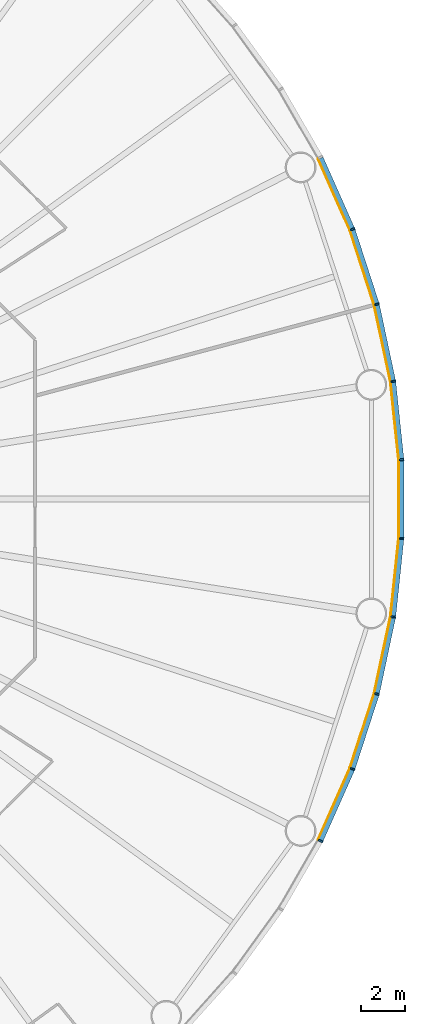
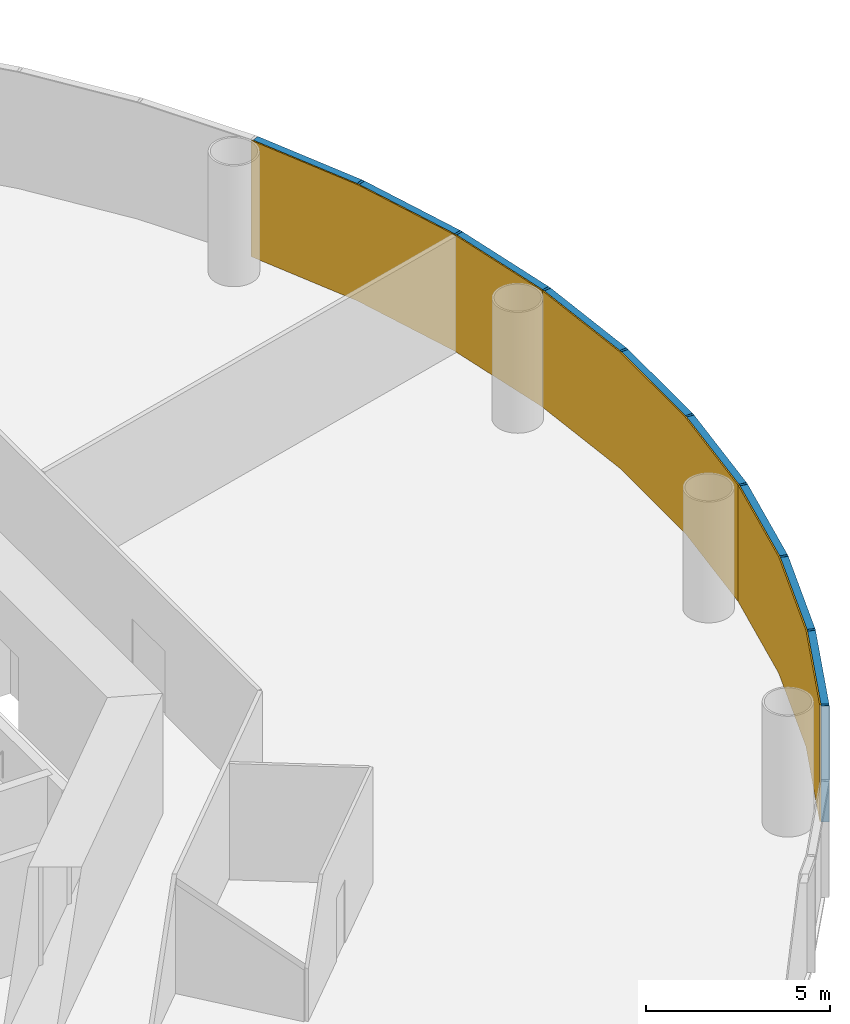
# One storey, part 11 of 13: 18 members, 3 curtain walls.
"""IFC4 building model written with IfcOpenShell, lengths in metres."""

from ifc_helpers import new_model, si_unit, direction, frame, origin, origin_2d, place, context, subcontext, project, spatial, polyline, rectangle, outline, extrude, material, layer, layer_set, material_profile, profile_set, type_object, element, aggregate, save


model = new_model("IFC4")

# Units and contexts
model_context = context("Model", 3, precision=1e-05, world=origin(), true_north=direction((0.0, 1.0)))
body_context = subcontext(model_context, "Body", "Model", "MODEL_VIEW")
ifc_project = project(units=[si_unit("LENGTHUNIT", "METRE"), si_unit("AREAUNIT", "SQUARE_METRE"), si_unit("VOLUMEUNIT", "CUBIC_METRE"), si_unit("PLANEANGLEUNIT", "RADIAN"), si_unit("MASSUNIT", "GRAM", prefix="KILO")], contexts=[model_context])

# Member
ifc_material_1 = material(Name="Anodised aluminium", Category="aluminium")
ifc_material_profile_1 = material_profile(ifc_material_1, rectangle(XDim=0.074951171875, YDim=0.219970703125, at=origin_2d()), Name="Mullion 75 x 220 mm anodised aluminium")
ifc_profile_set_1 = profile_set([ifc_material_profile_1], Name="Anodised aluminium")
member_type_1 = type_object("IfcMemberType", Name="Mullion 75 x 220 mm anodised aluminium", PredefinedType="MULLION", material=ifc_profile_set_1)
site_placement = place(None, origin())
building_placement = place(site_placement, origin())
storey_placement = place(building_placement, frame((0.0, 0.0, 26.0)))
member_1_placement = place(storey_placement, frame((123.68994140625, 85.3359375, 0.0), z_axis=(0.0, 0.0, 1.0), x_axis=(-0.15643446504, 0.987688340595, 0.0)))
member_1 = element("IfcMember", 1, at=member_1_placement, type_object=member_type_1, Name="MULLION L04-00", PredefinedType="MULLION", context=body_context, shape_type="SweptSolid", body=[
    extrude(rectangle(XDim=0.074951171875, YDim=0.219970703125, at=origin_2d()), origin(), (0.0, 0.0, 1.0), 3.85009765625),
])

member_2_placement = place(storey_placement, frame((122.94775390625, 88.828369140625, 0.0), z_axis=(0.0, 0.0, 1.0), x_axis=(-0.258819045103, 0.965925826289, 0.0)))
member_2 = element("IfcMember", 2, at=member_2_placement, type_object=member_type_1, Name="MULLION L04-01", PredefinedType="MULLION", context=body_context, shape_type="SweptSolid", body=[
    extrude(rectangle(XDim=0.074951171875, YDim=0.219970703125, at=origin_2d()), origin(), (0.0, 0.0, 1.0), 3.85009765625),
])

member_3_placement = place(storey_placement, frame((121.844482421875, 92.223876953125, 0.0), z_axis=(0.0, 0.0, 1.0), x_axis=(-0.358367949545, 0.933580426497, 0.0)))
member_3 = element("IfcMember", 3, at=member_3_placement, type_object=member_type_1, Name="MULLION L04-02", PredefinedType="MULLION", context=body_context, shape_type="SweptSolid", body=[
    extrude(rectangle(XDim=0.074951171875, YDim=0.219970703125, at=origin_2d()), origin(), (0.0, 0.0, 1.0), 3.85009765625),
])

member_4_placement = place(storey_placement, frame((120.392333984375, 64.514404296875, 0.0), z_axis=(0.0, 0.0, 1.0), x_axis=(0.45399049974, 0.891006524188, 0.0)))
member_4 = element("IfcMember", 4, at=member_4_placement, type_object=member_type_1, Name="MULLION L04-54", PredefinedType="MULLION", context=body_context, shape_type="SweptSolid", body=[
    extrude(rectangle(XDim=0.074951171875, YDim=0.219970703125, at=origin_2d()), origin(), (0.0, 0.0, 1.0), 3.85009765625),
])

member_5_placement = place(storey_placement, frame((121.844482421875, 67.776123046875, 0.0), z_axis=(0.0, 0.0, 1.0), x_axis=(0.358367949545, 0.933580426497, 0.0)))
member_5 = element("IfcMember", 5, at=member_5_placement, type_object=member_type_1, Name="MULLION L04-55", PredefinedType="MULLION", context=body_context, shape_type="SweptSolid", body=[
    extrude(rectangle(XDim=0.074951171875, YDim=0.219970703125, at=origin_2d()), origin(), (0.0, 0.0, 1.0), 3.85009765625),
])

member_6_placement = place(storey_placement, frame((122.94775390625, 71.171630859375, 0.0), z_axis=(0.0, 0.0, 1.0), x_axis=(0.258819045103, 0.965925826289, 0.0)))
member_6 = element("IfcMember", 6, at=member_6_placement, type_object=member_type_1, Name="MULLION L04-56", PredefinedType="MULLION", context=body_context, shape_type="SweptSolid", body=[
    extrude(rectangle(XDim=0.074951171875, YDim=0.219970703125, at=origin_2d()), origin(), (0.0, 0.0, 1.0), 3.85009765625),
])

member_7_placement = place(storey_placement, frame((123.68994140625, 74.6640625, 0.0), z_axis=(0.0, 0.0, 1.0), x_axis=(0.15643446504, 0.987688340595, 0.0)))
member_7 = element("IfcMember", 7, at=member_7_placement, type_object=member_type_1, Name="MULLION L04-57", PredefinedType="MULLION", context=body_context, shape_type="SweptSolid", body=[
    extrude(rectangle(XDim=0.074951171875, YDim=0.219970703125, at=origin_2d()), origin(), (0.0, 0.0, 1.0), 3.85009765625),
])

member_8_placement = place(storey_placement, frame((124.063232421875, 78.21484375, 0.0), z_axis=(0.0, 0.0, 1.0), x_axis=(0.052335956243, 0.998629534755, 0.0)))
member_8 = element("IfcMember", 8, at=member_8_placement, type_object=member_type_1, Name="MULLION L04-58", PredefinedType="MULLION", context=body_context, shape_type="SweptSolid", body=[
    extrude(rectangle(XDim=0.074951171875, YDim=0.219970703125, at=origin_2d()), origin(), (0.0, 0.0, 1.0), 3.85009765625),
])

member_9_placement = place(storey_placement, frame((124.063232421875, 81.78515625, 0.0), z_axis=(0.0, 0.0, 1.0), x_axis=(-0.052335956243, 0.998629534755, 0.0)))
member_9 = element("IfcMember", 9, at=member_9_placement, type_object=member_type_1, Name="MULLION L04-59", PredefinedType="MULLION", context=body_context, shape_type="SweptSolid", body=[
    extrude(rectangle(XDim=0.074951171875, YDim=0.219970703125, at=origin_2d()), origin(), (0.0, 0.0, 1.0), 3.85009765625),
])

ifc_material_2 = material(Name="Anodised aluminium", Category="aluminium")
ifc_material_profile_2 = material_profile(ifc_material_2, rectangle(XDim=0.219970703125, YDim=0.199951171875, at=origin_2d()), Name="Transom 200 x 220 mm anodised aluminium")
ifc_profile_set_2 = profile_set([ifc_material_profile_2], Name="Anodised aluminium")
member_type_2 = type_object("IfcMemberType", Name="Transom 200 x 220 mm anodised aluminium", PredefinedType="USERDEFINED", material=ifc_profile_set_2)
member_10_placement = place(storey_placement, frame((123.68115234375, 85.37841796875, 3.75), z_axis=(-0.207920776701, 0.978145669426, 0.0), x_axis=(-0.978145669426, -0.207920776701, 0.0)))
member_10 = element("IfcMember", 10, at=member_10_placement, type_object=member_type_2, Name="TRANSOM L04-00", ObjectType="TRANSOM", PredefinedType="USERDEFINED", context=body_context, shape_type="SweptSolid", body=[
    extrude(rectangle(XDim=0.219970703125, YDim=0.199951171875, at=origin_2d()), origin(), (0.0, 0.0, 1.0), 3.48388671875),
])

member_11_placement = place(storey_placement, frame((122.9345703125, 88.869384765625, 3.75), z_axis=(-0.309029029702, 0.951052605696, 0.0), x_axis=(-0.951052605696, -0.309029029702, 0.0)))
member_11 = element("IfcMember", 11, at=member_11_placement, type_object=member_type_2, Name="TRANSOM L04-01", ObjectType="TRANSOM", PredefinedType="USERDEFINED", context=body_context, shape_type="SweptSolid", body=[
    extrude(rectangle(XDim=0.219970703125, YDim=0.199951171875, at=origin_2d()), origin(), (0.0, 0.0, 1.0), 3.484130859375),
])

member_12_placement = place(storey_placement, frame((121.826904296875, 92.263427734375, 3.75), z_axis=(-0.406736576304, 0.913545487371, 0.0), x_axis=(-0.913545487371, -0.406736576304, 0.0)))
member_12 = element("IfcMember", 12, at=member_12_placement, type_object=member_type_2, Name="TRANSOM L04-02", ObjectType="TRANSOM", PredefinedType="USERDEFINED", context=body_context, shape_type="SweptSolid", body=[
    extrude(rectangle(XDim=0.219970703125, YDim=0.199951171875, at=origin_2d()), origin(), (0.0, 0.0, 1.0), 3.48388671875),
])

member_13_placement = place(storey_placement, frame((120.409912109375, 64.553955078125, 3.75), z_axis=(0.406736576304, 0.913545487371, 0.0), x_axis=(-0.913545487371, 0.406736576304, 0.0)))
member_13 = element("IfcMember", 13, at=member_13_placement, type_object=member_type_2, Name="TRANSOM L04-54", ObjectType="TRANSOM", PredefinedType="USERDEFINED", context=body_context, shape_type="SweptSolid", body=[
    extrude(rectangle(XDim=0.219970703125, YDim=0.199951171875, at=origin_2d()), origin(), (0.0, 0.0, 1.0), 3.48388671875),
])

member_14_placement = place(storey_placement, frame((121.85791015625, 67.817138671875, 3.75), z_axis=(0.309029029702, 0.951052605696, 0.0), x_axis=(-0.951052605696, 0.309029029702, 0.0)))
member_14 = element("IfcMember", 14, at=member_14_placement, type_object=member_type_2, Name="TRANSOM L04-55", ObjectType="TRANSOM", PredefinedType="USERDEFINED", context=body_context, shape_type="SweptSolid", body=[
    extrude(rectangle(XDim=0.219970703125, YDim=0.199951171875, at=origin_2d()), origin(), (0.0, 0.0, 1.0), 3.484130859375),
])

member_15_placement = place(storey_placement, frame((122.956787109375, 71.2138671875, 3.75), z_axis=(0.207920776701, 0.978145669426, 0.0), x_axis=(-0.978145669426, 0.207920776701, 0.0)))
member_15 = element("IfcMember", 15, at=member_15_placement, type_object=member_type_2, Name="TRANSOM L04-56", ObjectType="TRANSOM", PredefinedType="USERDEFINED", context=body_context, shape_type="SweptSolid", body=[
    extrude(rectangle(XDim=0.219970703125, YDim=0.199951171875, at=origin_2d()), origin(), (0.0, 0.0, 1.0), 3.48388671875),
])

member_16_placement = place(storey_placement, frame((123.69482421875, 74.70703125, 3.75), z_axis=(0.104484152234, 0.994526551648, 0.0), x_axis=(-0.994526551648, 0.104484152234, 0.0)))
member_16 = element("IfcMember", 16, at=member_16_placement, type_object=member_type_2, Name="TRANSOM L04-57", ObjectType="TRANSOM", PredefinedType="USERDEFINED", context=body_context, shape_type="SweptSolid", body=[
    extrude(rectangle(XDim=0.219970703125, YDim=0.199951171875, at=origin_2d()), origin(), (0.0, 0.0, 1.0), 3.48388671875),
])

member_17_placement = place(storey_placement, frame((124.0634765625, 78.258056640625, 3.75), z_axis=(0.0, 1.0, 0.0), x_axis=(-1.0, 0.0, 0.0)))
member_17 = element("IfcMember", 17, at=member_17_placement, type_object=member_type_2, Name="TRANSOM L04-58", ObjectType="TRANSOM", PredefinedType="USERDEFINED", context=body_context, shape_type="SweptSolid", body=[
    extrude(rectangle(XDim=0.219970703125, YDim=0.199951171875, at=origin_2d()), origin(), (0.0, 0.0, 1.0), 3.48388671875),
])

member_18_placement = place(storey_placement, frame((124.058837890625, 81.828125, 3.75), z_axis=(-0.104484152234, 0.994526551648, 0.0), x_axis=(-0.994526551648, -0.104484152234, 0.0)))
member_18 = element("IfcMember", 18, at=member_18_placement, type_object=member_type_2, Name="TRANSOM L04-59", ObjectType="TRANSOM", PredefinedType="USERDEFINED", context=body_context, shape_type="SweptSolid", body=[
    extrude(rectangle(XDim=0.219970703125, YDim=0.199951171875, at=origin_2d()), origin(), (0.0, 0.0, 1.0), 3.48388671875),
])

# Site, building, storey
site = spatial("IfcSite", under=ifc_project, at=site_placement, CompositionType="ELEMENT")
building = spatial("IfcBuilding", under=site, at=building_placement, Name="Entoto Ring Tower", CompositionType="ELEMENT")
storey = spatial("IfcBuildingStorey", under=building, at=storey_placement, Name="L04", CompositionType="ELEMENT", Elevation=26.0)

# Curtain wall
ifc_material_3 = material(Name="Clear low-iron glass", Category="glass")
ifc_layer = layer(ifc_material_3, 0.0400390625)
ifc_layer_set = layer_set([ifc_layer], Name="Clear low-iron glass")
curtain_wall_type = type_object("IfcCurtainWallType", Name="Curtain wall system CW1 glazing 40 mm", PredefinedType="NOTDEFINED", material=ifc_layer_set)
curtain_wall_1_placement = place(storey_placement, origin())
curtain_wall_1 = element("IfcCurtainWall", 19, at=curtain_wall_1_placement, inside=storey, type_object=curtain_wall_type, Name="CW1 L04-01", PredefinedType="NOTDEFINED", context=body_context, shape_type="SweptSolid", body=[
    extrude(outline(polyline([(123.581298828125, 85.31884765625), (122.841552734375, 88.7998046875), (121.74169921875, 92.1845703125), (120.294189453125, 95.435791015625), (120.258544921875, 95.41748046875), (121.704345703125, 92.170166015625), (122.802734375, 88.78955078125), (123.541748046875, 85.3125), (123.581298828125, 85.31884765625)])), origin(), (0.0, 0.0, 1.0), 3.85009765625),
])

aggregate(curtain_wall_1, [member_1, member_2, member_3, member_10, member_11, member_12])

curtain_wall_2_placement = place(storey_placement, origin())
curtain_wall_2 = element("IfcCurtainWall", 20, at=curtain_wall_2_placement, inside=storey, type_object=curtain_wall_type, Name="CW1 L04-19", PredefinedType="NOTDEFINED", context=body_context, shape_type="SweptSolid", body=[
    extrude(outline(polyline([(120.294189453125, 64.564208984375), (121.74169921875, 67.8154296875), (122.841552734375, 71.2001953125), (123.581298828125, 74.68115234375), (123.541748046875, 74.6875), (122.802734375, 71.21044921875), (121.704345703125, 67.829833984375), (120.258544921875, 64.58251953125), (120.294189453125, 64.564208984375)])), origin(), (0.0, 0.0, 1.0), 3.85009765625),
])

aggregate(curtain_wall_2, [member_4, member_5, member_6, member_13, member_14, member_15])

curtain_wall_3_placement = place(storey_placement, origin())
curtain_wall_3 = element("IfcCurtainWall", 21, at=curtain_wall_3_placement, inside=storey, type_object=curtain_wall_type, Name="CW1 L04-20", PredefinedType="NOTDEFINED", context=body_context, shape_type="SweptSolid", body=[
    extrude(outline(polyline([(123.581298828125, 74.68115234375), (123.953369140625, 78.220458984375), (123.953369140625, 81.779541015625), (123.581298828125, 85.31884765625), (123.541748046875, 85.3125), (123.913330078125, 81.77734375), (123.913330078125, 78.22265625), (123.541748046875, 74.6875), (123.581298828125, 74.68115234375)])), origin(), (0.0, 0.0, 1.0), 3.85009765625),
])

aggregate(curtain_wall_3, [member_7, member_8, member_9, member_16, member_17, member_18])

save(model, "model.ifc")
